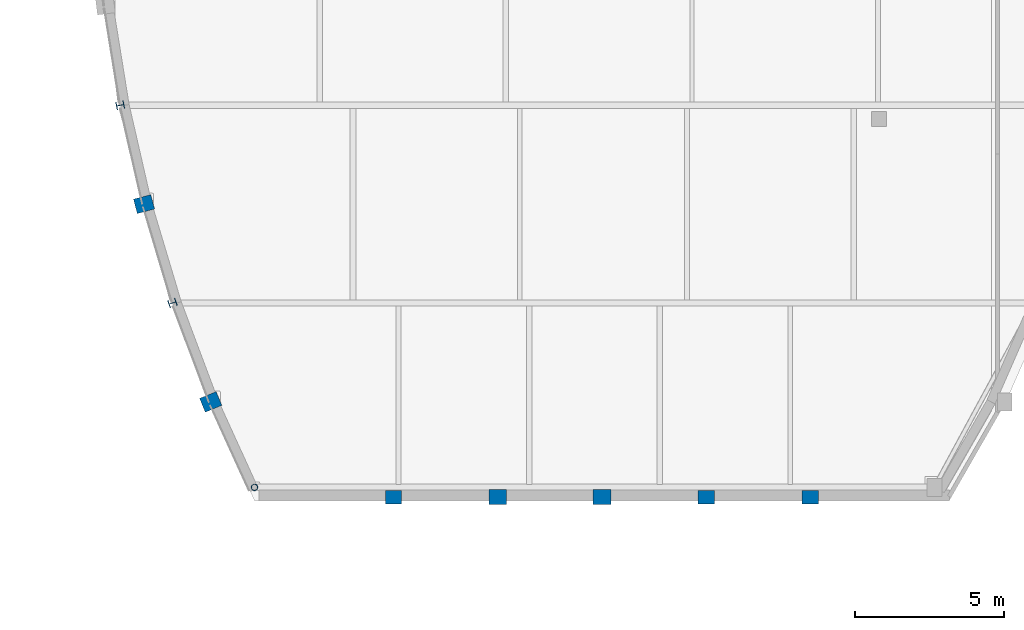
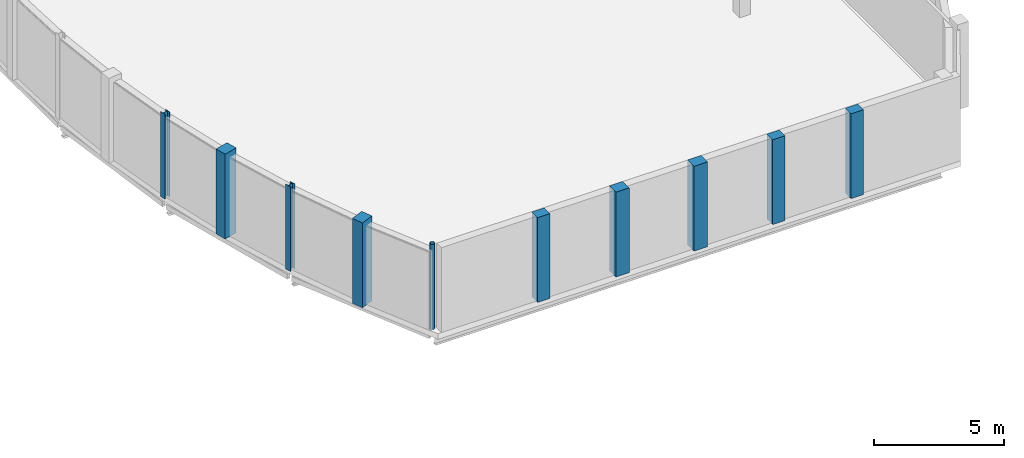
# One storey, part 2 of 105: 10 columns.
"""IFC4 building model written with IfcOpenShell, lengths in metres."""

from ifc_helpers import new_model, si_unit, direction, frame, origin, origin_2d, place, context, subcontext, project, spatial, rectangle, hollow_circle, i_section, extrude, material, material_profile, profile_set, type_object, element, save


model = new_model("IFC4")

# Units and contexts
model_context = context("Model", 3, precision=1e-05, world=origin(), true_north=direction((0.0, 1.0)))
body_context = subcontext(model_context, "Body", "Model", "MODEL_VIEW")
ifc_project = project(units=[si_unit("LENGTHUNIT", "METRE"), si_unit("AREAUNIT", "SQUARE_METRE"), si_unit("VOLUMEUNIT", "CUBIC_METRE"), si_unit("PLANEANGLEUNIT", "RADIAN"), si_unit("MASSUNIT", "GRAM", prefix="KILO")], contexts=[model_context])

# Site, building, storey
site_placement = place(None, origin())
site = spatial("IfcSite", under=ifc_project, at=site_placement, CompositionType="ELEMENT")
building_placement = place(site_placement, origin())
building = spatial("IfcBuilding", under=site, at=building_placement, Name="Kelanivale Promenade Academy", CompositionType="ELEMENT")
storey_placement = place(building_placement, frame((0.0, 0.0, 4.199951171875)))
storey = spatial("IfcBuildingStorey", under=building, at=storey_placement, Name="L01", CompositionType="ELEMENT", Elevation=4.199951171875)

# Columns
ifc_material_1 = material(Name="Concrete C40/50", Category="concrete")
ifc_material_profile_1 = material_profile(ifc_material_1, rectangle(XDim=0.449951171875, YDim=0.550048828125, at=origin_2d()), Name="RC-PIL 450x550")
ifc_profile_set_1 = profile_set([ifc_material_profile_1], Name="Concrete C40/50")
column_type_1 = type_object("IfcColumnType", Name="PL-17 RC-PIL 450x550", PredefinedType="PILASTER", material=ifc_profile_set_1)
for number, where, z_axis, x_axis, name in (
    (1, (12.52001953125, 33.1201171875, 0.0), (0.0, 0.0, 1.0), (0.0, 1.0, 0.0), "Column PL-17 at (12.5, 33.1) L01"),
    (2, (22.9990234375, 33.1201171875, 0.0), (0.0, 0.0, 1.0), (0.0, 1.0, 0.0), "Column PL-17 at (23.0, 33.1) L01"),
    (3, (26.491943359375, 33.1201171875, 0.0), (0.0, 0.0, 1.0), (0.0, 1.0, 0.0), "Column PL-17 at (26.5, 33.1) L01"),
):
    element("IfcColumn", number, at=place(storey_placement, frame(where, z_axis=z_axis, x_axis=x_axis)), inside=storey, type_object=column_type_1, Name=name, PredefinedType="PILASTER", context=body_context, shape_type="SweptSolid", body=[
        extrude(rectangle(XDim=0.449951171875, YDim=0.550048828125, at=origin_2d()), origin(), (0.0, 0.0, 1.0), 4.0),
    ])
ifc_material_profile_2 = material_profile(ifc_material_1, rectangle(XDim=0.5, YDim=0.60009765625, at=origin_2d()), Name="RC-PIL 500x600")
ifc_profile_set_2 = profile_set([ifc_material_profile_2], Name="Concrete C40/50")
column_type_2 = type_object("IfcColumnType", Name="PL-18 RC-PIL 500x600", PredefinedType="PILASTER", material=ifc_profile_set_2)
for number, where, z_axis, x_axis, name in (
    (4, (4.157958984375, 42.943115234375, 0.0), (0.0, 0.0, 1.0), (-0.2549394954, 0.966957007154, 0.0), "Column PL-18 at (4.2, 42.9) L01"),
    (5, (6.39306640625, 36.31396484375, 0.0), (0.0, 0.0, 1.0), (-0.382360914263, 0.92401305794, 0.0), "Column PL-18 at (6.4, 36.3) L01"),
    (6, (16.012939453125, 33.1201171875, 0.0), (0.0, 0.0, 1.0), (0.0, 1.0, 0.0), "Column PL-18 at (16.0, 33.1) L01"),
    (7, (19.506103515625, 33.1201171875, 0.0), (0.0, 0.0, 1.0), (0.0, 1.0, 0.0), "Column PL-18 at (19.5, 33.1) L01"),
):
    element("IfcColumn", number, at=place(storey_placement, frame(where, z_axis=z_axis, x_axis=x_axis)), inside=storey, type_object=column_type_2, Name=name, PredefinedType="PILASTER", context=body_context, shape_type="SweptSolid", body=[
        extrude(rectangle(XDim=0.5, YDim=0.60009765625, at=origin_2d()), origin(), (0.0, 0.0, 1.0), 4.0),
    ])
ifc_material_2 = material(Name="Steel S355", Category="steel")
ifc_material_profile_3 = material_profile(ifc_material_2, i_section(OverallWidth=0.25634765625, OverallDepth=0.26025390625, WebThickness=0.01025390625, FlangeThickness=0.017333984375, FilletRadius=0.0126953125, at=origin_2d()), Name="UC 254x254x89")
ifc_profile_set_3 = profile_set([ifc_material_profile_3], Name="Steel S355")
column_type_3 = type_object("IfcColumnType", Name="SC-03 UC 254x254x89", PredefinedType="COLUMN", material=ifc_profile_set_3)
for number, where, z_axis, x_axis, name in (
    (8, (3.35888671875, 46.257080078125, 0.0), (0.0, 0.0, 1.0), (-0.191151636272, 0.981560518741, 0.0), "Column SC-03 at (3.4, 46.3) L01"),
    (9, (5.111083984375, 39.62890625, 0.0), (0.0, 0.0, 1.0), (-0.318628456287, 0.947879690069, 0.0), "Column SC-03 at (5.1, 39.6) L01"),
):
    element("IfcColumn", number, at=place(storey_placement, frame(where, z_axis=z_axis, x_axis=x_axis)), inside=storey, type_object=column_type_3, Name=name, PredefinedType="COLUMN", context=body_context, shape_type="SweptSolid", body=[
        extrude(i_section(OverallWidth=0.25634765625, OverallDepth=0.26025390625, WebThickness=0.01025390625, FlangeThickness=0.017333984375, FilletRadius=0.0126953125, at=origin_2d()), origin(), (0.0, 0.0, 1.0), 4.0),
    ])
ifc_material_profile_4 = material_profile(ifc_material_2, hollow_circle(Radius=0.109619140625, WallThickness=0.010009765625, at=origin_2d()), Name="CHS 219.1x10.0")
ifc_profile_set_4 = profile_set([ifc_material_profile_4], Name="Steel S355")
column_type_4 = type_object("IfcColumnType", Name="SC-06 CHS 219.1x10.0", PredefinedType="PILASTER", material=ifc_profile_set_4)
column_placement = place(storey_placement, frame((7.862060546875, 33.449951171875, 0.0), z_axis=(0.0, 0.0, 1.0), x_axis=(-0.44619781311, 0.894934361602, 0.0)))
element("IfcColumn", 10, at=column_placement, inside=storey, type_object=column_type_4, Name="Column SC-06 at (7.9, 33.5) L01", PredefinedType="PILASTER", context=body_context, shape_type="SweptSolid", body=[
    extrude(hollow_circle(Radius=0.109619140625, WallThickness=0.010009765625, at=origin_2d()), origin(), (0.0, 0.0, 1.0), 4.0),
])

save(model, "model.ifc")
